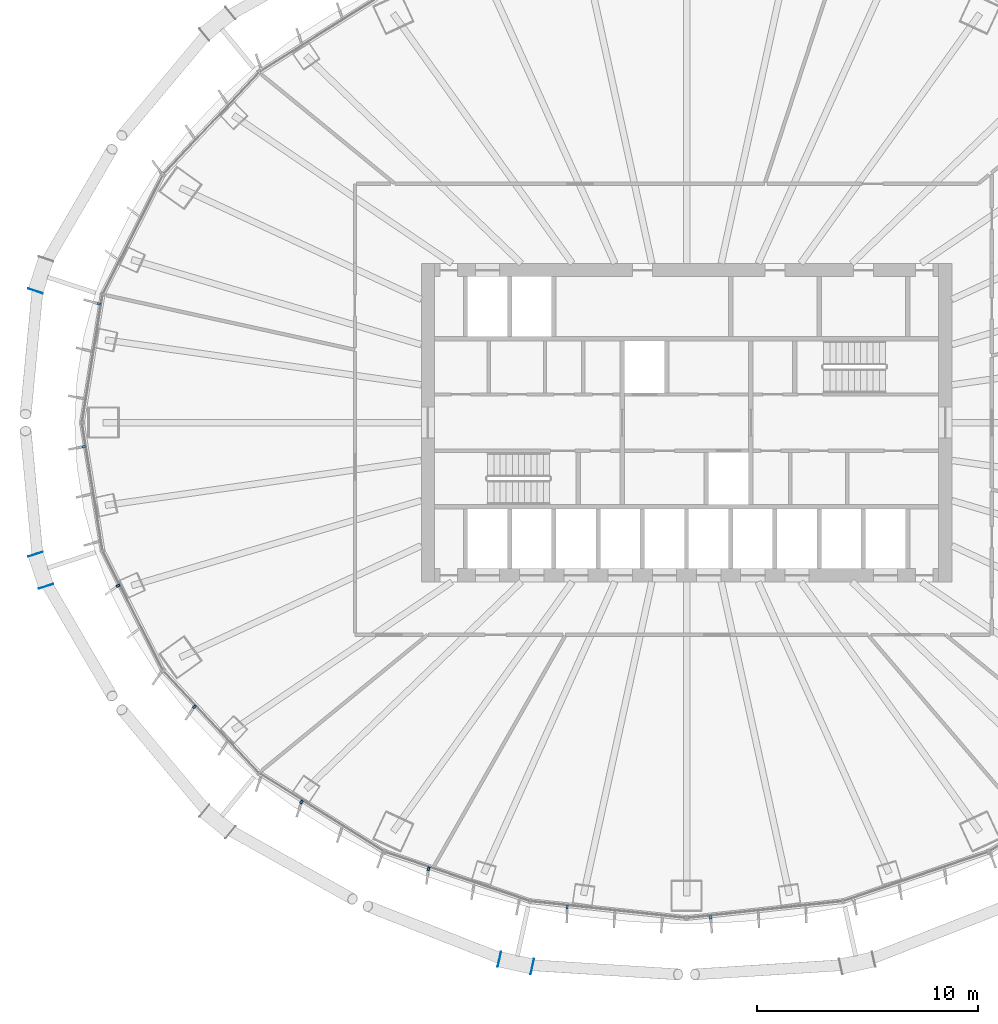
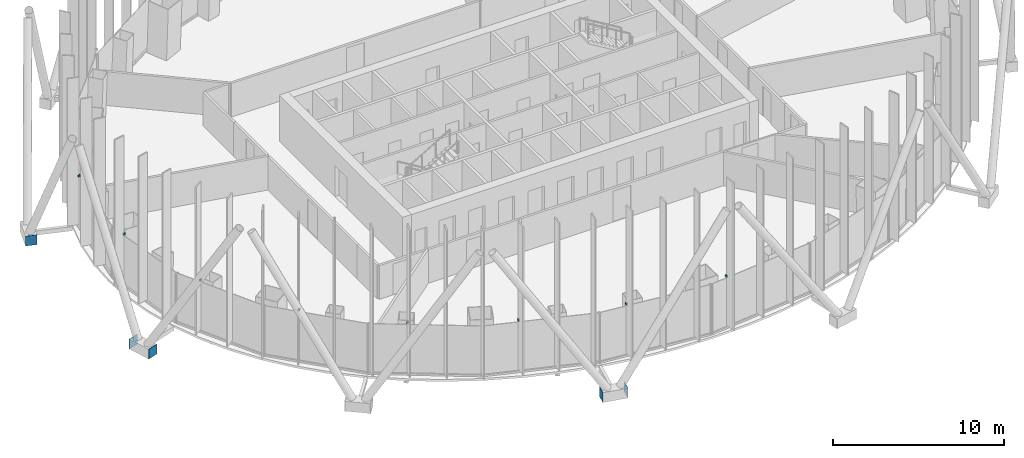
# One storey, part 12 of 19: 13 discrete accessories.
"""IFC4 building model written with IfcOpenShell, lengths in metres."""

from ifc_helpers import new_model, si_unit, direction, frame, origin, origin_2d, place, context, subcontext, project, spatial, rectangle, extrude, material, layer, layer_set, type_object, element, save


model = new_model("IFC4")

# Units and contexts
model_context = context("Model", 3, precision=1e-05, world=origin(), true_north=direction((0.0, 1.0)))
body_context = subcontext(model_context, "Body", "Model", "MODEL_VIEW")
ifc_project = project(units=[si_unit("LENGTHUNIT", "METRE"), si_unit("AREAUNIT", "SQUARE_METRE"), si_unit("VOLUMEUNIT", "CUBIC_METRE"), si_unit("PLANEANGLEUNIT", "RADIAN"), si_unit("MASSUNIT", "GRAM", prefix="KILO")], contexts=[model_context])

# Site, building, storey
site_placement = place(None, origin())
site = spatial("IfcSite", under=ifc_project, at=site_placement, CompositionType="ELEMENT")
building_placement = place(site_placement, origin())
building = spatial("IfcBuilding", under=site, at=building_placement, Name="Siaravel Broadcast Tower", CompositionType="ELEMENT")
storey_placement = place(building_placement, frame((0.0, 0.0, 59.300048828125)))
storey = spatial("IfcBuildingStorey", under=building, at=storey_placement, Name="L13", CompositionType="ELEMENT", Elevation=59.300048828125)

# Discrete accessories
ifc_material_1 = material(Name="Stainless steel 316", Category="steel")
discrete_accessory_type_1 = type_object("IfcDiscreteAccessoryType", Name="Stainless steel fin bracket", PredefinedType="USERDEFINED", material=ifc_material_1)
for number, where, z_axis, x_axis, name in (
    (1, (-26.57568359375, 5.37109375, 3.68994140625), (0.0, 0.0, 1.0), (-0.987329198, 0.158685394, 0.0), "Fin bracket L13-34"),
    (2, (-27.264404296875, -1.085693359375, 3.68994140625), (0.0, 0.0, 1.0), (-0.987329198, -0.158685394, 0.0), "Fin bracket L13-37"),
    (3, (-25.719970703125, -7.376953125, 3.68994140625), (0.0, 0.0, 1.0), (-0.892391364, -0.451262289, 0.0), "Fin bracket L13-40"),
    (4, (-22.2626953125, -12.85498046875, 3.68994140625), (0.0, 0.0, 1.0), (-0.729804415, -0.683655992, 0.0), "Fin bracket L13-43"),
    (5, (-17.4150390625, -17.162109375, 3.68994140625), (0.0, 0.0, 1.0), (-0.532147974, -0.846651365, 0.0), "Fin bracket L13-46"),
    (6, (-11.668701171875, -20.18359375, 3.68994140625), (0.0, 0.0, 1.0), (-0.321298982, -0.946977806, 0.0), "Fin bracket L13-49"),
    (7, (-5.404052734375, -21.917724609375, 3.68994140625), (0.0, 0.0, 1.0), (-0.107216783, -0.994235667, 0.0), "Fin bracket L13-52"),
    (8, (1.08837890625, -22.383056640625, 3.68994140625), (0.0, 0.0, 1.0), (0.107216783, -0.994235667, 0.0), "Fin bracket L13-55"),
):
    element("IfcDiscreteAccessory", number, at=place(storey_placement, frame(where, z_axis=z_axis, x_axis=x_axis)), inside=storey, type_object=discrete_accessory_type_1, Name=name, ObjectType="BRACKET", PredefinedType="USERDEFINED", context=body_context, shape_type="SweptSolid", body=[
        extrude(rectangle(XDim=0.159912109375, YDim=0.10009765625, at=origin_2d()), origin(), (0.0, 0.0, 1.0), 0.139892578125),
    ])
ifc_material_2 = material(Name="Steel S355", Category="steel")
ifc_layer = layer(ifc_material_2, 0.02001953125)
ifc_layer_set = layer_set([ifc_layer], Name="Steel S355")
discrete_accessory_type_2 = type_object("IfcDiscreteAccessoryType", Name="Steel end plate 20 mm", PredefinedType="USERDEFINED", material=ifc_layer_set)
for number, where, z_axis, x_axis, name in (
    (9, (-29.447021484375, 5.951416015625, -0.5498046875), (0.0, 0.0, 1.0), (-0.310908675, -0.950439791, 0.0), "End plate R06 station 33A"),
    (10, (-28.972412109375, -7.402587890625, -0.5498046875), (0.0, 0.0, 1.0), (0.310908675, -0.950439791, 0.0), "End plate R06 station 39A"),
    (11, (-29.447021484375, -5.951416015625, -0.5498046875), (0.0, 0.0, 1.0), (0.310908675, -0.950439791, 0.0), "End plate R06 station 39B"),
    (12, (-6.976318359375, -24.605224609375, -0.5498046875), (0.0, 0.0, 1.0), (0.976750917, -0.214377344, 0.0), "End plate R06 station 51A"),
    (13, (-8.4677734375, -24.27783203125, -0.5498046875), (0.0, 0.0, 1.0), (0.976750917, -0.214377344, 0.0), "End plate R06 station 51B"),
):
    element("IfcDiscreteAccessory", number, at=place(storey_placement, frame(where, z_axis=z_axis, x_axis=x_axis)), inside=storey, type_object=discrete_accessory_type_2, Name=name, ObjectType="END PLATE", PredefinedType="USERDEFINED", context=body_context, shape_type="SweptSolid", body=[
        extrude(rectangle(XDim=0.02001953125, YDim=0.699951171875, at=origin_2d()), origin(), (0.0, 0.0, 1.0), 0.699951171875),
    ])

save(model, "model.ifc")
